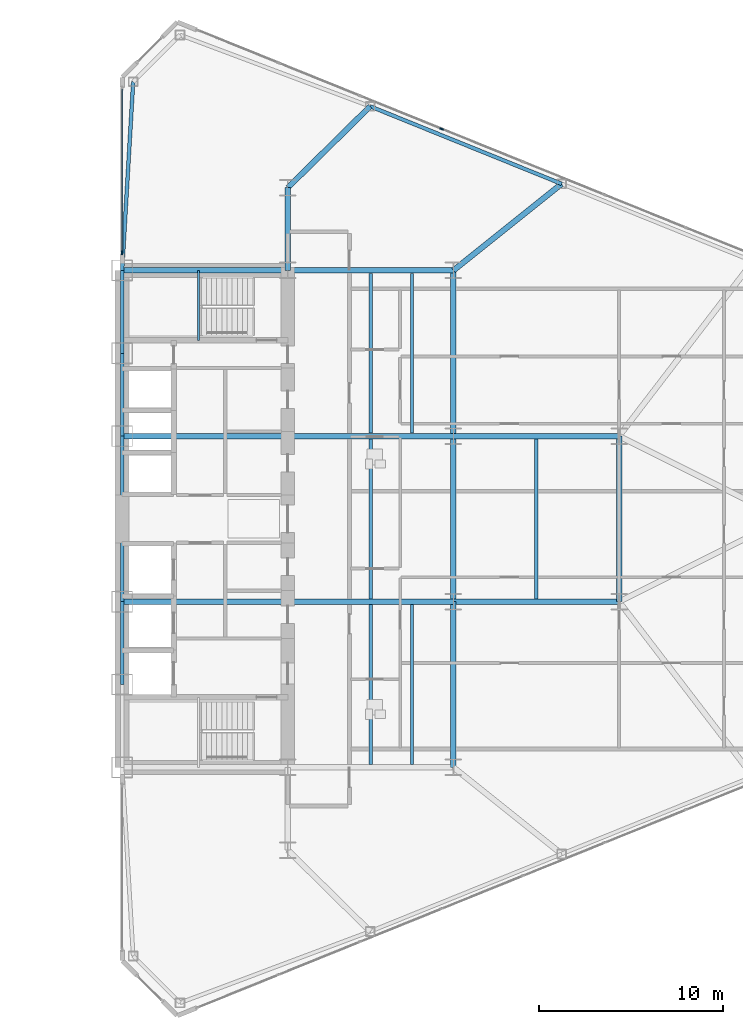
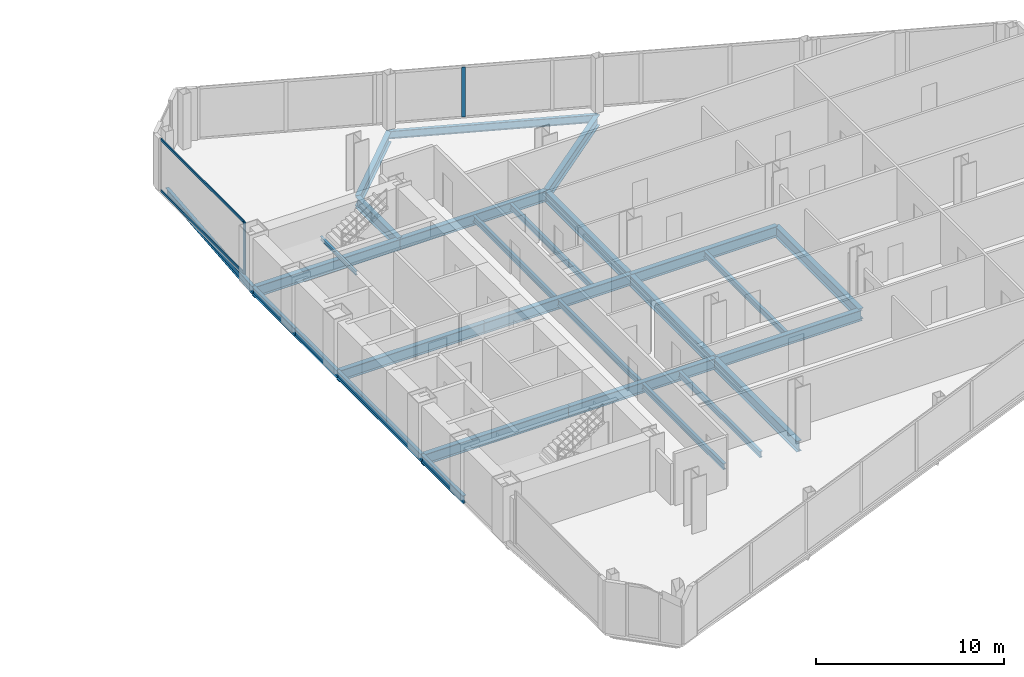
# One storey, part 11 of 25: 28 beams, 4 members, 2 elements without a shape of their own.
"""IFC4 building model written with IfcOpenShell, lengths in metres."""

from ifc_helpers import new_model, si_unit, direction, frame, origin, origin_2d, place, context, subcontext, project, spatial, rectangle, i_section, extrude, source, transform, mapped, material, layer, layer_set, material_profile, profile_set, type_object, type_shapes, element, aggregate, save


model = new_model("IFC4")

# Units and contexts
model_context = context("Model", 3, precision=1e-05, world=origin(), true_north=direction((0.0, 1.0)))
body_context = subcontext(model_context, "Body", "Model", "MODEL_VIEW")
ifc_project = project(units=[si_unit("LENGTHUNIT", "METRE"), si_unit("AREAUNIT", "SQUARE_METRE"), si_unit("VOLUMEUNIT", "CUBIC_METRE"), si_unit("PLANEANGLEUNIT", "RADIAN"), si_unit("MASSUNIT", "GRAM", prefix="KILO")], contexts=[model_context])

# Site, building, storey
site_placement = place(None, origin())
site = spatial("IfcSite", under=ifc_project, at=site_placement, CompositionType="ELEMENT")
building_placement = place(site_placement, origin())
building = spatial("IfcBuilding", under=site, at=building_placement, Name="Seokmaru Belvedere", CompositionType="ELEMENT")
storey_placement = place(building_placement, frame((0.0, 0.0, 47.699951171875)))
storey = spatial("IfcBuildingStorey", under=building, at=storey_placement, Name="L12", CompositionType="ELEMENT", Elevation=47.699951171875)

# Beams
ifc_material_1 = material(Name="Steel SM355 (355 MPa)", Category="steel")
ifc_material_profile_1 = material_profile(ifc_material_1, i_section(OverallWidth=0.199951171875, OverallDepth=0.5, WebThickness=0.010009765625, FlangeThickness=0.01611328125, at=origin_2d()), Name="H-500x200x10x16")
ifc_profile_set_1 = profile_set([ifc_material_profile_1], Name="Steel SM355 (355 MPa)")
beam_type_1 = type_object("IfcBeamType", Name="Perimeter Spandrel Beam H-500", PredefinedType="SPANDREL", material=ifc_profile_set_1)
shared_shape_1 = source(origin(), body_context, "Body", "SweptSolid", [
    extrude(i_section(OverallWidth=0.199951171875, OverallDepth=0.5, WebThickness=0.010009765625, FlangeThickness=0.01611328125, at=origin_2d()), origin(), (0.0, 0.0, 1.0), 4.5),
])
for number, where, z_axis, x_axis, name in (
    (1, (27.5, -9.0, -0.469970703125), (0.0, 1.0, 0.0), (-1.0, 0.0, 0.0), "L12 E Portal Spine Spandrel 2"),
    (2, (27.5, 4.5, -0.469970703125), (0.0, 1.0, 0.0), (-1.0, 0.0, 0.0), "L12 E Portal Spine Spandrel 4"),
    (3, (27.5, 9.0, -0.469970703125), (0.0, 1.0, 0.0), (-1.0, 0.0, 0.0), "L12 E Portal Spine Spandrel 5"),
):
    element("IfcBeam", number, at=place(storey_placement, frame(where, z_axis=z_axis, x_axis=x_axis)), inside=storey, type_object=beam_type_1, Name=name, PredefinedType="SPANDREL", context=body_context, shape_type="MappedRepresentation", body=[
        mapped(shared_shape_1, transform((0.0, 0.0, 0.0), scale=1.0)),
    ])
shared_shape_2 = source(origin(), body_context, "Body", "SweptSolid", [
    extrude(i_section(OverallWidth=0.199951171875, OverallDepth=0.5, WebThickness=0.010009765625, FlangeThickness=0.01611328125, at=origin_2d()), origin(), (0.0, 0.0, 1.0), 9.0),
])
beam_1_placement = place(storey_placement, frame((27.5, -4.5, -0.469970703125), z_axis=(0.0, 1.0, 0.0), x_axis=(-1.0, 0.0, 0.0)))
element("IfcBeam", 4, at=beam_1_placement, inside=storey, type_object=beam_type_1, Name="L12 E Portal Spine Spandrel 3", PredefinedType="SPANDREL", context=body_context, shape_type="MappedRepresentation", body=[
    mapped(shared_shape_2, transform((0.0, 0.0, 0.0), scale=1.0)),
])
ifc_material_profile_2 = material_profile(ifc_material_1, i_section(OverallWidth=0.300048828125, OverallDepth=0.699951171875, WebThickness=0.012939453125, FlangeThickness=0.02392578125, at=origin_2d()), Name="H-700x300x13x24")
ifc_profile_set_2 = profile_set([ifc_material_profile_2], Name="Steel SM355 (355 MPa)")
beam_type_2 = type_object("IfcBeamType", Name="Primary Floor Girder H-700", PredefinedType="BEAM", material=ifc_profile_set_2)
shared_shape_3 = source(origin(), body_context, "Body", "SweptSolid", [
    extrude(i_section(OverallWidth=0.300048828125, OverallDepth=0.699951171875, WebThickness=0.012939453125, FlangeThickness=0.02392578125, at=origin_2d()), origin(), (0.0, 0.0, 1.0), 4.5),
])
beam_2_placement = place(storey_placement, frame((36.5, 13.5, -0.570068359375), z_axis=(0.0, 1.0, 0.0), x_axis=(-1.0, 0.0, 0.0)))
element("IfcBeam", 5, at=beam_2_placement, inside=storey, type_object=beam_type_2, Name="L12 E Core Shoulder Girder N", PredefinedType="BEAM", context=body_context, shape_type="MappedRepresentation", body=[
    mapped(shared_shape_3, transform((0.0, 0.0, 0.0), scale=1.0)),
])
shared_shape_4 = source(origin(), body_context, "Body", "SweptSolid", [
    extrude(i_section(OverallWidth=0.300048828125, OverallDepth=0.699951171875, WebThickness=0.012939453125, FlangeThickness=0.02392578125, at=origin_2d()), origin(), (0.0, 0.0, 1.0), 9.0),
])
for number, where, z_axis, x_axis, name in (
    (6, (45.5, -13.5, -0.570068359375), (0.0, 1.0, 0.0), (-1.0, 0.0, 0.0), "L12 E Interior Grid Girder 1"),
    (7, (45.5, -4.5, -0.570068359375), (0.0, 1.0, 0.0), (-1.0, 0.0, 0.0), "L12 E Interior Grid Girder 2"),
    (8, (45.5, 4.5, -0.570068359375), (0.0, 1.0, 0.0), (-1.0, 0.0, 0.0), "L12 E Interior Grid Girder 3"),
    (9, (27.5, -4.5, -0.570068359375), (1.0, 0.0, 0.0), (0.0, 1.0, 0.0), "L12 E Core Tie Girder 2"),
    (10, (36.5, -4.5, -0.570068359375), (1.0, 0.0, 0.0), (0.0, 1.0, 0.0), "L12 E Wing Primary Girder 2"),
    (11, (27.5, 4.5, -0.570068359375), (1.0, 0.0, 0.0), (0.0, 1.0, 0.0), "L12 E Core Tie Girder 3"),
    (12, (36.5, 4.5, -0.570068359375), (1.0, 0.0, 0.0), (0.0, 1.0, 0.0), "L12 E Wing Primary Girder 3"),
    (13, (27.5, 13.5, -0.570068359375), (1.0, 0.0, 0.0), (0.0, 1.0, 0.0), "L12 E Core Tie Girder 4"),
    (14, (36.5, 13.5, -0.570068359375), (1.0, 0.0, 0.0), (0.0, 1.0, 0.0), "L12 E Wing Primary Girder 4"),
    (15, (45.5, -4.5, -0.570068359375), (1.0, 0.0, 0.0), (0.0, 1.0, 0.0), "L12 E Outer Wing Girder 1"),
    (16, (45.5, 4.5, -0.570068359375), (1.0, 0.0, 0.0), (0.0, 1.0, 0.0), "L12 E Outer Wing Girder 2"),
    (17, (54.5, -4.5, -0.570068359375), (0.0, 1.0, 0.0), (-1.0, 0.0, 0.0), "L12 E Apex Frame Girder"),
):
    element("IfcBeam", number, at=place(storey_placement, frame(where, z_axis=z_axis, x_axis=x_axis)), inside=storey, type_object=beam_type_2, Name=name, PredefinedType="BEAM", context=body_context, shape_type="MappedRepresentation", body=[
        mapped(shared_shape_4, transform((0.0, 0.0, 0.0), scale=1.0)),
    ])
ifc_material_profile_3 = material_profile(ifc_material_1, i_section(OverallWidth=0.18505859375, OverallDepth=0.389892578125, WebThickness=0.008056640625, FlangeThickness=0.011962890625, at=origin_2d()), Name="H-390x185x8x12")
ifc_profile_set_3 = profile_set([ifc_material_profile_3], Name="Steel SM355 (355 MPa)")
beam_type_3 = type_object("IfcBeamType", Name="Secondary Floor Joist H-350", PredefinedType="JOIST", material=ifc_profile_set_3)
shared_shape_5 = source(origin(), body_context, "Body", "SweptSolid", [
    extrude(i_section(OverallWidth=0.18505859375, OverallDepth=0.389892578125, WebThickness=0.008056640625, FlangeThickness=0.011962890625, at=origin_2d()), origin(), (0.0, 0.0, 1.0), 8.68994140625),
])
type_shapes(beam_type_3, [shared_shape_5])
for number, where, z_axis, x_axis, name in (
    (18, (43.25, -13.344970703125, -0.4150390625), (0.0, 1.0, 0.0), (-1.0, 0.0, 0.0), "L12 E Wing Inner Secondary Joist 1"),
    (19, (43.25, 4.655029296875, -0.4150390625), (0.0, 1.0, 0.0), (-1.0, 0.0, 0.0), "L12 E Wing Inner Secondary Joist 2"),
    (20, (41.0, -13.344970703125, -0.4150390625), (0.0, 1.0, 0.0), (-1.0, 0.0, 0.0), "L12 E Secondary Floor Joist 1"),
    (21, (41.0, -4.344970703125, -0.4150390625), (0.0, 1.0, 0.0), (-1.0, 0.0, 0.0), "L12 E Secondary Floor Joist 2"),
    (22, (41.0, 4.655029296875, -0.4150390625), (0.0, 1.0, 0.0), (-1.0, 0.0, 0.0), "L12 E Secondary Floor Joist 3"),
    (23, (50.0, -4.344970703125, -0.4150390625), (0.0, 1.0, 0.0), (-1.0, 0.0, 0.0), "L12 E Outer Bay Secondary Joist"),
):
    element("IfcBeam", number, at=place(storey_placement, frame(where, z_axis=z_axis, x_axis=x_axis)), inside=storey, type_object=beam_type_3, Name=name, PredefinedType="JOIST", context=body_context, shape_type="MappedRepresentation", body=[
        mapped(shared_shape_5, transform((0.0, 0.0, 0.0), scale=1.0)),
    ])
shared_shape_6 = source(origin(), body_context, "Body", "SweptSolid", [
    extrude(i_section(OverallWidth=0.199951171875, OverallDepth=0.5, WebThickness=0.010009765625, FlangeThickness=0.01611328125, at=origin_2d()), origin(), (0.0, 0.0, 1.0), 11.220703125),
])
beam_3_placement = place(storey_placement, frame((40.977294921875, 22.4140625, -0.469970703125), z_axis=(0.926944290816, -0.375198989503, 0.0), x_axis=(0.375198989503, 0.926944290816, 0.0)))
element("IfcBeam", 24, at=beam_3_placement, inside=storey, type_object=beam_type_1, Name="L12 E Faceted Flank Spandrel N-2", PredefinedType="SPANDREL", context=body_context, shape_type="MappedRepresentation", body=[
    mapped(shared_shape_6, transform((0.0, 0.0, 0.0), scale=1.0)),
])
shared_shape_7 = source(origin(), body_context, "Body", "SweptSolid", [
    extrude(i_section(OverallWidth=0.199951171875, OverallDepth=0.5, WebThickness=0.010009765625, FlangeThickness=0.01611328125, at=origin_2d()), origin(), (0.0, 0.0, 1.0), 10.26904296875),
])
type_shapes(beam_type_1, [shared_shape_1, shared_shape_2, shared_shape_6, shared_shape_7])
beam_4_placement = place(storey_placement, frame((28.10009765625, 23.75146484375, -0.469970703125), z_axis=(-0.058437709399, -0.998291056817, 0.0), x_axis=(0.998291056817, -0.058437709399, 0.0)))
element("IfcBeam", 25, at=beam_4_placement, inside=storey, type_object=beam_type_1, Name="L12 E Shoulder Spine Spandrel N", PredefinedType="SPANDREL", context=body_context, shape_type="MappedRepresentation", body=[
    mapped(shared_shape_7, transform((0.0, 0.0, 0.0), scale=1.0)),
])
shared_shape_8 = source(origin(), body_context, "Body", "SweptSolid", [
    extrude(i_section(OverallWidth=0.300048828125, OverallDepth=0.699951171875, WebThickness=0.012939453125, FlangeThickness=0.02392578125, at=origin_2d()), origin(), (0.0, 0.0, 1.0), 6.287353515625),
])
beam_5_placement = place(storey_placement, frame((40.977294921875, 22.4140625, -0.570068359375), z_axis=(-0.712117485263, -0.702060315915, 0.0), x_axis=(0.702060315915, -0.712117485263, 0.0)))
element("IfcBeam", 26, at=beam_5_placement, inside=storey, type_object=beam_type_2, Name="L12 E Flank Radial Floor Girder N-1", PredefinedType="BEAM", context=body_context, shape_type="MappedRepresentation", body=[
    mapped(shared_shape_8, transform((0.0, 0.0, 0.0), scale=1.0)),
])
shared_shape_9 = source(origin(), body_context, "Body", "SweptSolid", [
    extrude(i_section(OverallWidth=0.300048828125, OverallDepth=0.699951171875, WebThickness=0.012939453125, FlangeThickness=0.02392578125, at=origin_2d()), origin(), (0.0, 0.0, 1.0), 7.52880859375),
])
type_shapes(beam_type_2, [shared_shape_3, shared_shape_4, shared_shape_8, shared_shape_9])
beam_6_placement = place(storey_placement, frame((51.378173828125, 18.2041015625, -0.570068359375), z_axis=(-0.780767560736, -0.624821587418, 0.0), x_axis=(0.624821587418, -0.780767560736, 0.0)))
element("IfcBeam", 27, at=beam_6_placement, inside=storey, type_object=beam_type_2, Name="L12 E Flank Radial Floor Girder N-2", PredefinedType="BEAM", context=body_context, shape_type="MappedRepresentation", body=[
    mapped(shared_shape_9, transform((0.0, 0.0, 0.0), scale=1.0)),
])

# Curtain wall, members
ifc_material_2 = material(Name="Bronze Triple Insulating Glass", Category="glass")
ifc_layer = layer(ifc_material_2, 0.2099609375)
ifc_layer_set = layer_set([ifc_layer], Name="Bronze Triple Insulating Glass")
curtain_wall_type = type_object("IfcCurtainWallType", Name="Low-Rise Faceted Crystal Curtain Wall System CW-2", PredefinedType="NOTDEFINED", material=ifc_layer_set)
curtain_wall_1_placement = place(storey_placement, origin())
curtain_wall_1 = element("IfcCurtainWall", 28, at=curtain_wall_1_placement, inside=storey, type_object=curtain_wall_type, Name="L12 Curtain Wall ESP_2", PredefinedType="NOTDEFINED")
ifc_material_3 = material(Name="Anodised Bronze Aluminium", Category="aluminium")
ifc_material_profile_4 = material_profile(ifc_material_3, rectangle(XDim=0.074951171875, YDim=0.2099609375, at=origin_2d()), Name="CW-M-75x210")
ifc_profile_set_4 = profile_set([ifc_material_profile_4], Name="Anodised Bronze Aluminium")
member_type_1 = type_object("IfcMemberType", Name="Bronze Unitised Mullion 75x210", PredefinedType="MULLION", material=ifc_profile_set_4)
shared_shape_10 = source(origin(), body_context, "Body", "SweptSolid", [
    extrude(rectangle(XDim=0.074951171875, YDim=0.2099609375, at=origin_2d()), origin(), (0.0, 0.0, 1.0), 3.380126953125),
])
member_1_placement = place(storey_placement, frame((27.5, 14.467529296875, 0.0), z_axis=(0.0, 0.0, 1.0), x_axis=(1.0, 0.0, 0.0)))
member_1 = element("IfcMember", 29, at=member_1_placement, type_object=member_type_1, Name="CW:L12:ESP_2 Mullion 2", PredefinedType="MULLION", context=body_context, shape_type="MappedRepresentation", body=[
    mapped(shared_shape_10, transform((0.0, 0.0, 0.0), scale=1.0)),
])
ifc_material_profile_5 = material_profile(ifc_material_3, rectangle(XDim=0.070068359375, YDim=0.1650390625, at=origin_2d()), Name="CW-T-70x165")
ifc_profile_set_5 = profile_set([ifc_material_profile_5], Name="Anodised Bronze Aluminium")
member_type_2 = type_object("IfcMemberType", Name="Bronze Unitised Transom 70x165", PredefinedType="USERDEFINED", material=ifc_profile_set_5)
shared_shape_11 = source(origin(), body_context, "Body", "SweptSolid", [
    extrude(rectangle(XDim=0.070068359375, YDim=0.1650390625, at=origin_2d()), origin(), (0.0, 0.0, 1.0), 8.85009765625),
])
type_shapes(member_type_2, [shared_shape_11])
member_2_placement = place(storey_placement, frame((27.5, 23.35498046875, 0.03515625), z_axis=(0.0, -1.0, 0.0), x_axis=(1.0, 0.0, 0.0)))
member_2 = element("IfcMember", 30, at=member_2_placement, type_object=member_type_2, Name="CW:L12:ESP_2 Continuous Transom 1", ObjectType="TRANSOM", PredefinedType="USERDEFINED", context=body_context, shape_type="MappedRepresentation", body=[
    mapped(shared_shape_11, transform((0.0, 0.0, 0.0), scale=1.0)),
])
member_3_placement = place(storey_placement, frame((27.5, 23.35498046875, 3.344970703125), z_axis=(0.0, -1.0, 0.0), x_axis=(1.0, 0.0, 0.0)))
member_3 = element("IfcMember", 31, at=member_3_placement, type_object=member_type_2, Name="CW:L12:ESP_2 Continuous Transom 2", ObjectType="TRANSOM", PredefinedType="USERDEFINED", context=body_context, shape_type="MappedRepresentation", body=[
    mapped(shared_shape_11, transform((0.0, 0.0, 0.0), scale=1.0)),
])
aggregate(curtain_wall_1, [member_1, member_2, member_3])

# Curtain wall, member
curtain_wall_2_placement = place(storey_placement, origin())
curtain_wall_2 = element("IfcCurtainWall", 32, at=curtain_wall_2_placement, inside=storey, type_object=curtain_wall_type, Name="L12 Curtain Wall EF3", PredefinedType="NOTDEFINED")
shared_shape_12 = source(origin(), body_context, "Body", "SweptSolid", [
    extrude(rectangle(XDim=0.074951171875, YDim=0.2099609375, at=origin_2d()), origin(), (0.0, 0.0, 1.0), 3.239990234375),
])
type_shapes(member_type_1, [shared_shape_10, shared_shape_12])
member_4_placement = place(storey_placement, frame((44.855224609375, 21.189453125, 0.070068359375), z_axis=(0.0, 0.0, 1.0), x_axis=(-0.375192321888, -0.926946989637, 0.0)))
member_4 = element("IfcMember", 33, at=member_4_placement, type_object=member_type_1, Name="CW:L12:EF3 Mullion 7", PredefinedType="MULLION", context=body_context, shape_type="MappedRepresentation", body=[
    mapped(shared_shape_12, transform((0.0, 0.0, 0.0), scale=1.0)),
])
aggregate(curtain_wall_2, [member_4])

# Beam
ifc_material_profile_6 = material_profile(ifc_material_1, i_section(OverallWidth=0.125, OverallDepth=0.25, WebThickness=0.006103515625, FlangeThickness=0.009033203125, at=origin_2d()), Name="H-250x125x6x9")
ifc_profile_set_6 = profile_set([ifc_material_profile_6], Name="Steel SM355 (355 MPa)")
beam_type_4 = type_object("IfcBeamType", Name="Stair Mid-Landing Support Beam H-250", PredefinedType="JOIST", material=ifc_profile_set_6)
shared_shape_13 = source(origin(), body_context, "Body", "SweptSolid", [
    extrude(i_section(OverallWidth=0.125, OverallDepth=0.25, WebThickness=0.006103515625, FlangeThickness=0.009033203125, at=origin_2d()), origin(), (0.0, 0.0, 1.0), 3.800048828125),
])
type_shapes(beam_type_4, [shared_shape_13])
beam_7_placement = place(storey_placement, frame((31.64990234375, 9.699951171875, 1.47509765625), z_axis=(0.0, 1.0, 0.0), x_axis=(-1.0, 0.0, 0.0)))
element("IfcBeam", 34, at=beam_7_placement, inside=storey, type_object=beam_type_4, Name="L12 Stair ST-E2 Mid-Landing Support Beam 1", PredefinedType="JOIST", context=body_context, shape_type="MappedRepresentation", body=[
    mapped(shared_shape_13, transform((0.0, 0.0, 0.0), scale=1.0)),
])

save(model, "model.ifc")
